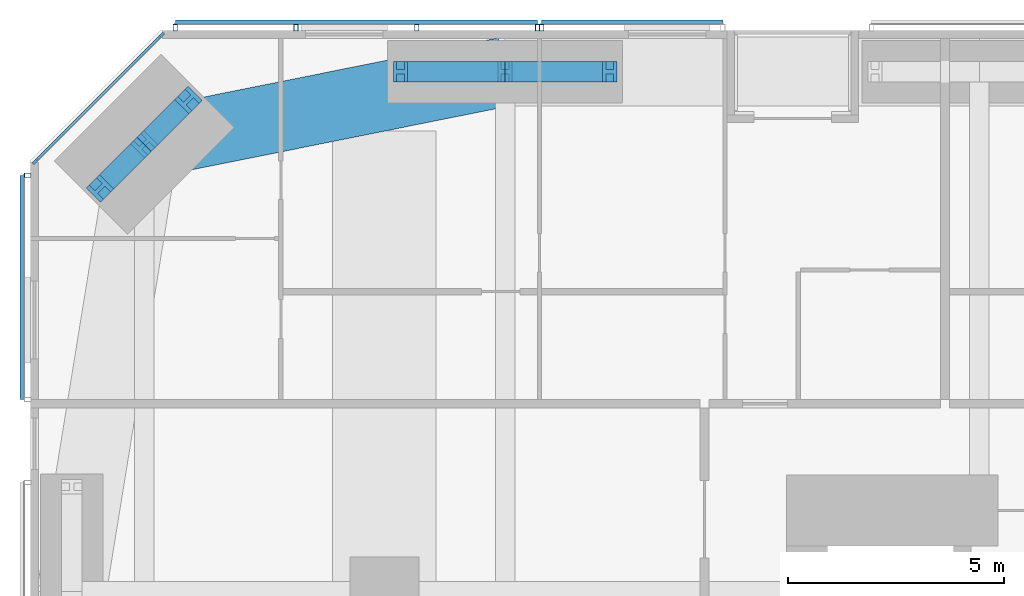
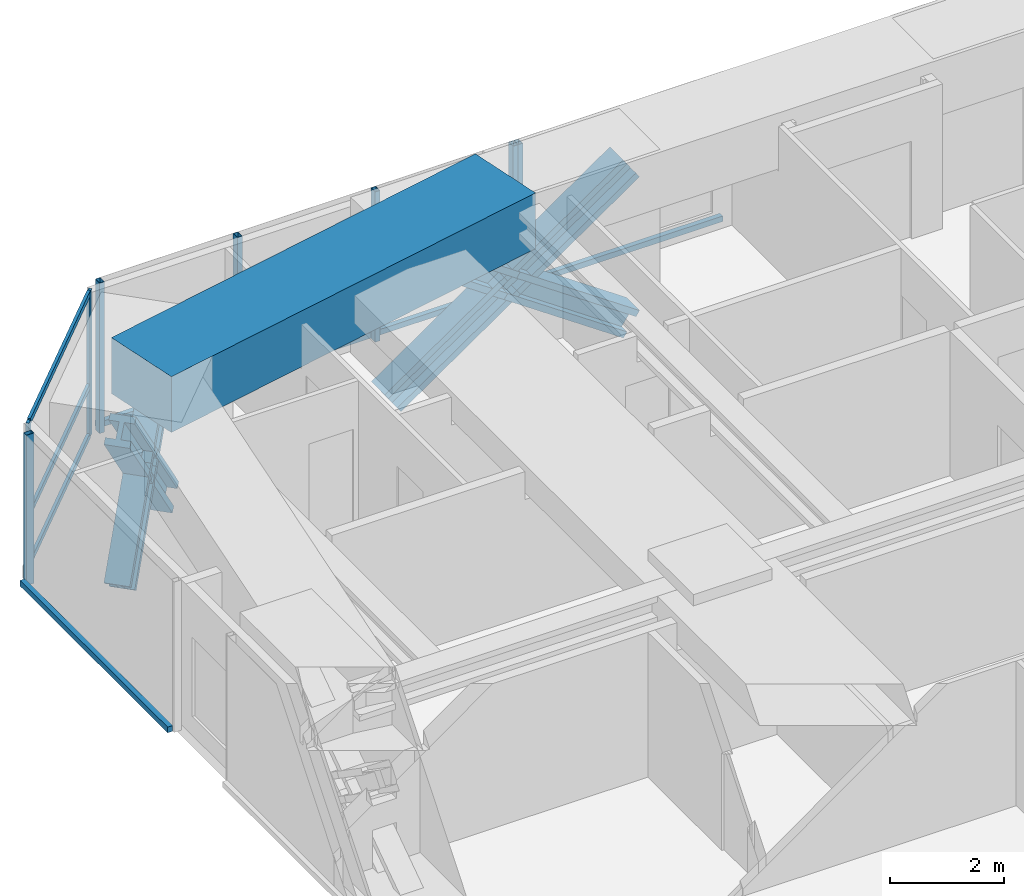
# One storey, part 11 of 23: 22 members, 1 beam, 4 elements without a shape of their own.
"""IFC4 building model written with IfcOpenShell, lengths in metres."""

from ifc_helpers import new_model, si_unit, direction, frame, origin, origin_2d, place, context, subcontext, project, spatial, rectangle, hollow_rectangle, i_section, extrude, material, material_profile, profile_set, type_object, element, aggregate, save


model = new_model("IFC4")

# Units and contexts
model_context = context("Model", 3, precision=1e-05, world=origin(), true_north=direction((0.0, 1.0)))
body_context = subcontext(model_context, "Body", "Model", "MODEL_VIEW")
ifc_project = project(units=[si_unit("LENGTHUNIT", "METRE"), si_unit("AREAUNIT", "SQUARE_METRE"), si_unit("VOLUMEUNIT", "CUBIC_METRE"), si_unit("PLANEANGLEUNIT", "RADIAN"), si_unit("MASSUNIT", "GRAM", prefix="KILO")], contexts=[model_context])

# Site, building, storey
site_placement = place(None, origin())
site = spatial("IfcSite", under=ifc_project, at=site_placement, CompositionType="ELEMENT")
building_placement = place(site_placement, origin())
building = spatial("IfcBuilding", under=site, at=building_placement, Name="Jalousie Tower", CompositionType="ELEMENT")
storey_placement = place(building_placement, frame((0.0, 0.0, 34.39990234375)))
storey = spatial("IfcBuildingStorey", under=building, at=storey_placement, Name="L08", CompositionType="ELEMENT", Elevation=34.39990234375)

# Curtain wall, members
ifc_material_1 = material(Name="Aluminium curtain wall", Category="aluminium")
curtain_wall_type_1 = type_object("IfcCurtainWallType", Name="CORNER WINDOW WALL", PredefinedType="USERDEFINED", material=ifc_material_1)
curtain_wall_1_placement = place(storey_placement, origin())
curtain_wall_1 = element("IfcCurtainWall", 1, at=curtain_wall_1_placement, inside=storey, type_object=curtain_wall_type_1, Name="Corner Window Wall L08 6", ObjectType="CORNER WINDOW WALL", PredefinedType="USERDEFINED")
ifc_material_2 = material(Name="Aluminium mullion", Category="aluminium")
ifc_material_profile_1 = material_profile(ifc_material_2, rectangle(XDim=0.06005859375, YDim=0.14990234375, at=origin_2d()), Name="MULLION 60x150")
ifc_profile_set_1 = profile_set([ifc_material_profile_1], Name="Aluminium mullion")
member_type_1 = type_object("IfcMemberType", Name="CORNER WINDOW WALL MULLION", PredefinedType="MULLION", material=ifc_profile_set_1)
member_1_placement = place(storey_placement, frame((5.030029296875, 37.891357421875, 0.0), z_axis=(0.0, 0.0, 1.0), x_axis=(0.707106781187, -0.707106781187, 0.0)))
member_1 = element("IfcMember", 2, at=member_1_placement, type_object=member_type_1, Name="CW-C mullion 1", PredefinedType="MULLION", context=body_context, shape_type="SweptSolid", body=[
    extrude(rectangle(XDim=0.06005859375, YDim=0.14990234375, at=origin_2d()), origin(), (0.0, 0.0, 1.0), 3.110107421875),
])
member_2_placement = place(storey_placement, frame((2.108642578125, 34.969970703125, 0.0), z_axis=(0.0, 0.0, 1.0), x_axis=(0.707106781187, -0.707106781187, 0.0)))
member_2 = element("IfcMember", 3, at=member_2_placement, type_object=member_type_1, Name="CW-C mullion 2", PredefinedType="MULLION", context=body_context, shape_type="SweptSolid", body=[
    extrude(rectangle(XDim=0.06005859375, YDim=0.14990234375, at=origin_2d()), origin(), (0.0, 0.0, 1.0), 3.110107421875),
])
ifc_material_3 = material(Name="Aluminium transom", Category="aluminium")
ifc_material_profile_2 = material_profile(ifc_material_3, rectangle(XDim=0.06005859375, YDim=0.1201171875, at=origin_2d()), Name="TRANSOM 60x120")
ifc_profile_set_2 = profile_set([ifc_material_profile_2], Name="Aluminium transom")
member_type_2 = type_object("IfcMemberType", Name="CORNER WINDOW WALL TRANSOM", PredefinedType="USERDEFINED", material=ifc_profile_set_2)
member_3_placement = place(storey_placement, frame((5.0087890625, 37.8701171875, 0.030029296875), z_axis=(-0.707106781187, -0.707106781187, 0.0), x_axis=(0.707106781187, -0.707106781187, 0.0)))
member_3 = element("IfcMember", 4, at=member_3_placement, type_object=member_type_2, Name="CW-C transom 1.1", ObjectType="TRANSOM", PredefinedType="USERDEFINED", context=body_context, shape_type="SweptSolid", body=[
    extrude(rectangle(XDim=0.06005859375, YDim=0.1201171875, at=origin_2d()), origin(), (0.0, 0.0, 1.0), 4.0712890625),
])
member_4_placement = place(storey_placement, frame((5.0087890625, 37.8701171875, 1.10009765625), z_axis=(-0.707106781187, -0.707106781187, 0.0), x_axis=(0.707106781187, -0.707106781187, 0.0)))
member_4 = element("IfcMember", 5, at=member_4_placement, type_object=member_type_2, Name="CW-C transom 1.2", ObjectType="TRANSOM", PredefinedType="USERDEFINED", context=body_context, shape_type="SweptSolid", body=[
    extrude(rectangle(XDim=0.06005859375, YDim=0.1201171875, at=origin_2d()), origin(), (0.0, 0.0, 1.0), 4.0712890625),
])
member_5_placement = place(storey_placement, frame((5.0087890625, 37.8701171875, 3.080078125), z_axis=(-0.707106781187, -0.707106781187, 0.0), x_axis=(0.707106781187, -0.707106781187, 0.0)))
member_5 = element("IfcMember", 6, at=member_5_placement, type_object=member_type_2, Name="CW-C transom 1.3", ObjectType="TRANSOM", PredefinedType="USERDEFINED", context=body_context, shape_type="SweptSolid", body=[
    extrude(rectangle(XDim=0.06005859375, YDim=0.1201171875, at=origin_2d()), origin(), (0.0, 0.0, 1.0), 4.0712890625),
])
aggregate(curtain_wall_1, [member_1, member_2, member_3, member_4, member_5])

# Members
ifc_material_4 = material(Name="Steel ASTM A992 Grade 50", Category="steel")
ifc_material_profile_3 = material_profile(ifc_material_4, i_section(OverallWidth=0.472412109375, OverallDepth=0.5791015625, WebThickness=0.094970703125, FlangeThickness=0.1298828125, at=origin_2d()), Name="W14X808")
ifc_profile_set_3 = profile_set([ifc_material_profile_3], Name="Steel ASTM A992 Grade 50")
member_type_3 = type_object("IfcMemberType", Name="PERIMETER BRACE W14X808", PredefinedType="BRACE", material=ifc_profile_set_3)
for number, where, z_axis, x_axis, name in (
    (7, (10.574951171875, 37.050048828125, -0.599853515625), (0.822800062329, 0.0, 0.568330940062), (0.0, 1.0, 0.0), "Perimeter brace 11 L08 part 1"),
    (8, (13.0, 37.050048828125, 1.0751953125), (0.82283879777, 0.0, 0.568274856811), (0.0, 1.0, 0.0), "Perimeter brace 11 L08 part 2"),
    (9, (15.425048828125, 37.050048828125, -0.599853515625), (-0.822800062329, 0.0, 0.568330940062), (0.0, -1.0, 0.0), "Perimeter brace 11 L08 part 3"),
    (10, (13.0, 37.050048828125, 1.0751953125), (-0.82283879777, 0.0, 0.568274856811), (0.0, -1.0, 0.0), "Perimeter brace 11 L08 part 4"),
):
    element("IfcMember", number, at=place(storey_placement, frame(where, z_axis=z_axis, x_axis=x_axis)), inside=storey, type_object=member_type_3, Name=name, PredefinedType="BRACE", context=body_context, shape_type="SweptSolid", body=[
        extrude(i_section(OverallWidth=0.472412109375, OverallDepth=0.5791015625, WebThickness=0.094970703125, FlangeThickness=0.1298828125, at=origin_2d()), origin(), (0.0, 0.0, 1.0), 2.947265625),
    ])
for number, where, z_axis, x_axis, name in (
    (11, (5.65673828125, 36.393798828125, -0.599853515625), (-0.462839993852, -0.462729793854, 0.756082189957), (0.707022586774, -0.707190965575, 0.0), "Perimeter brace 12 L08 part 1"),
    (12, (4.63134765625, 35.36865234375, 1.0751953125), (-0.462768350628, -0.462878559809, 0.756034981021), (0.707190965575, -0.707022586774, 0.0), "Perimeter brace 12 L08 part 2"),
    (13, (3.606201171875, 34.34326171875, -0.599853515625), (0.462729793854, 0.462839993852, 0.756082189957), (-0.707190965575, 0.707022586774, 0.0), "Perimeter brace 12 L08 part 3"),
    (14, (4.63134765625, 35.36865234375, 1.0751953125), (0.462878559809, 0.462768350628, 0.756034981021), (-0.707022586774, 0.707190965575, 0.0), "Perimeter brace 12 L08 part 4"),
):
    element("IfcMember", number, at=place(storey_placement, frame(where, z_axis=z_axis, x_axis=x_axis)), inside=storey, type_object=member_type_3, Name=name, PredefinedType="BRACE", context=body_context, shape_type="SweptSolid", body=[
        extrude(i_section(OverallWidth=0.472412109375, OverallDepth=0.5791015625, WebThickness=0.094970703125, FlangeThickness=0.1298828125, at=origin_2d()), origin(), (0.0, 0.0, 1.0), 2.21533203125),
    ])

# Beam
ifc_material_5 = material(Name="Concrete f'c 40 MPa", Category="concrete")
ifc_material_profile_4 = material_profile(ifc_material_5, rectangle(XDim=1.60009765625, YDim=1.199951171875, at=origin_2d()), Name="RC 1600x1200")
ifc_profile_set_4 = profile_set([ifc_material_profile_4], Name="Concrete f'c 40 MPa")
beam_type = type_object("IfcBeamType", Name="RC BEAM 1600x1200", PredefinedType="BEAM", material=ifc_profile_set_4)
beam_placement = place(storey_placement, frame((13.0, 37.050048828125, 2.75), z_axis=(-0.980407585444, -0.196979609107, 0.0), x_axis=(0.196979609107, -0.980407585444, 0.0)))
element("IfcBeam", 15, at=beam_placement, inside=storey, type_object=beam_type, Name="Edge band beam 11-12 under L09", PredefinedType="BEAM", context=body_context, shape_type="SweptSolid", body=[
    extrude(rectangle(XDim=1.60009765625, YDim=1.199951171875, at=origin_2d()), origin(), (0.0, 0.0, 1.0), 8.535888671875),
])

# Curtain wall, member
ifc_material_6 = material(Name="Perforated aluminium sheet", Category="aluminium")
curtain_wall_type_2 = type_object("IfcCurtainWallType", Name="SOLAR SCREEN SS-1", PredefinedType="USERDEFINED", material=ifc_material_6)
curtain_wall_2_placement = place(storey_placement, origin())
curtain_wall_2 = element("IfcCurtainWall", 16, at=curtain_wall_2_placement, inside=storey, type_object=curtain_wall_type_2, Name="Solar screen L08", ObjectType="SOLAR SCREEN SS-1", PredefinedType="USERDEFINED")
ifc_material_7 = material(Name="Steel ASTM A500 Grade C", Category="steel")
ifc_material_profile_5 = material_profile(ifc_material_7, hollow_rectangle(XDim=0.1015625, YDim=0.15234375, WallThickness=0.00634765625, at=origin_2d()), Name="HSS6X4X1/4")
ifc_profile_set_5 = profile_set([ifc_material_profile_5], Name="Steel ASTM A500 Grade C")
member_type_4 = type_object("IfcMemberType", Name="SOLAR SCREEN SS-1 MULLION", PredefinedType="MULLION", material=ifc_profile_set_5)
member_6_placement = place(storey_placement, frame((13.85009765625, 38.0712890625, -0.119873046875), z_axis=(0.0, 0.0, 1.0), x_axis=(-1.0, 0.0, 0.0)))
member_6 = element("IfcMember", 17, at=member_6_placement, type_object=member_type_4, Name="SS1 post 2", PredefinedType="MULLION", context=body_context, shape_type="SweptSolid", body=[
    extrude(hollow_rectangle(XDim=0.1015625, YDim=0.15234375, WallThickness=0.00634765625, at=origin_2d()), origin(), (0.0, 0.0, 1.0), 3.22998046875),
])

# Curtain wall, members
curtain_wall_3_placement = place(storey_placement, origin())
curtain_wall_3 = element("IfcCurtainWall", 18, at=curtain_wall_3_placement, inside=storey, type_object=curtain_wall_type_2, Name="Solar screen L08", ObjectType="SOLAR SCREEN SS-1", PredefinedType="USERDEFINED")
member_7_placement = place(storey_placement, frame((13.75, 38.0712890625, -0.119873046875), z_axis=(0.0, 0.0, 1.0), x_axis=(-1.0, 0.0, 0.0)))
member_7 = element("IfcMember", 19, at=member_7_placement, type_object=member_type_4, Name="SS1 post 1", PredefinedType="MULLION", context=body_context, shape_type="SweptSolid", body=[
    extrude(hollow_rectangle(XDim=0.1015625, YDim=0.15234375, WallThickness=0.00634765625, at=origin_2d()), origin(), (0.0, 0.0, 1.0), 3.22998046875),
])
member_8_placement = place(storey_placement, frame((10.950439453125, 38.0712890625, -0.119873046875), z_axis=(0.0, 0.0, 1.0), x_axis=(-1.0, 0.0, 0.0)))
member_8 = element("IfcMember", 20, at=member_8_placement, type_object=member_type_4, Name="SS1 post 2", PredefinedType="MULLION", context=body_context, shape_type="SweptSolid", body=[
    extrude(hollow_rectangle(XDim=0.1015625, YDim=0.15234375, WallThickness=0.00634765625, at=origin_2d()), origin(), (0.0, 0.0, 1.0), 3.22998046875),
])
member_9_placement = place(storey_placement, frame((8.15087890625, 38.0712890625, -0.119873046875), z_axis=(0.0, 0.0, 1.0), x_axis=(-1.0, 0.0, 0.0)))
member_9 = element("IfcMember", 21, at=member_9_placement, type_object=member_type_4, Name="SS1 post 3", PredefinedType="MULLION", context=body_context, shape_type="SweptSolid", body=[
    extrude(hollow_rectangle(XDim=0.1015625, YDim=0.15234375, WallThickness=0.00634765625, at=origin_2d()), origin(), (0.0, 0.0, 1.0), 3.22998046875),
])
member_10_placement = place(storey_placement, frame((5.351318359375, 38.0712890625, -0.119873046875), z_axis=(0.0, 0.0, 1.0), x_axis=(-1.0, 0.0, 0.0)))
member_10 = element("IfcMember", 22, at=member_10_placement, type_object=member_type_4, Name="SS1 post 4", PredefinedType="MULLION", context=body_context, shape_type="SweptSolid", body=[
    extrude(hollow_rectangle(XDim=0.1015625, YDim=0.15234375, WallThickness=0.00634765625, at=origin_2d()), origin(), (0.0, 0.0, 1.0), 3.22998046875),
])

# Curtain wall, member
curtain_wall_4_placement = place(storey_placement, origin())
curtain_wall_4 = element("IfcCurtainWall", 23, at=curtain_wall_4_placement, inside=storey, type_object=curtain_wall_type_2, Name="Solar screen L08", ObjectType="SOLAR SCREEN SS-1", PredefinedType="USERDEFINED")
member_11_placement = place(storey_placement, frame((1.9287109375, 34.648681640625, -0.119873046875), z_axis=(0.0, 0.0, 1.0), x_axis=(0.0, -1.0, 0.0)))
member_11 = element("IfcMember", 24, at=member_11_placement, type_object=member_type_4, Name="SS1 post 1", PredefinedType="MULLION", context=body_context, shape_type="SweptSolid", body=[
    extrude(hollow_rectangle(XDim=0.1015625, YDim=0.15234375, WallThickness=0.00634765625, at=origin_2d()), origin(), (0.0, 0.0, 1.0), 3.22998046875),
])

# Member
ifc_material_8 = material(Name="Extruded aluminium screen rail", Category="aluminium")
ifc_material_profile_6 = material_profile(ifc_material_8, rectangle(XDim=0.1015625, YDim=0.1201171875, at=origin_2d()), Name="RAIL 102x120")
ifc_profile_set_6 = profile_set([ifc_material_profile_6], Name="Extruded aluminium screen rail")
member_type_5 = type_object("IfcMemberType", Name="SOLAR SCREEN SS-1 TRANSOM", PredefinedType="USERDEFINED", material=ifc_profile_set_6)
member_12_placement = place(storey_placement, frame((18.050048828125, 38.1982421875, -0.059814453125), z_axis=(-1.0, 0.0, 0.0), x_axis=(0.0, -1.0, 0.0)))
member_12 = element("IfcMember", 25, at=member_12_placement, type_object=member_type_5, Name="SS1 rail", ObjectType="TRANSOM", PredefinedType="USERDEFINED", context=body_context, shape_type="SweptSolid", body=[
    extrude(rectangle(XDim=0.1015625, YDim=0.1201171875, at=origin_2d()), origin(), (0.0, 0.0, 1.0), 4.199951171875),
])

aggregate(curtain_wall_2, [member_6, member_12])

member_13_placement = place(storey_placement, frame((13.75, 38.1982421875, -0.059814453125), z_axis=(-1.0, 0.0, 0.0), x_axis=(0.0, -1.0, 0.0)))
member_13 = element("IfcMember", 26, at=member_13_placement, type_object=member_type_5, Name="SS1 rail", ObjectType="TRANSOM", PredefinedType="USERDEFINED", context=body_context, shape_type="SweptSolid", body=[
    extrude(rectangle(XDim=0.1015625, YDim=0.1201171875, at=origin_2d()), origin(), (0.0, 0.0, 1.0), 8.398681640625),
])

aggregate(curtain_wall_3, [member_7, member_8, member_9, member_10, member_13])

member_14_placement = place(storey_placement, frame((1.8017578125, 34.648681640625, -0.059814453125), z_axis=(0.0, -1.0, 0.0), x_axis=(1.0, 0.0, 0.0)))
member_14 = element("IfcMember", 27, at=member_14_placement, type_object=member_type_5, Name="SS1 rail", ObjectType="TRANSOM", PredefinedType="USERDEFINED", context=body_context, shape_type="SweptSolid", body=[
    extrude(rectangle(XDim=0.1015625, YDim=0.1201171875, at=origin_2d()), origin(), (0.0, 0.0, 1.0), 5.19873046875),
])

aggregate(curtain_wall_4, [member_11, member_14])

save(model, "model.ifc")
